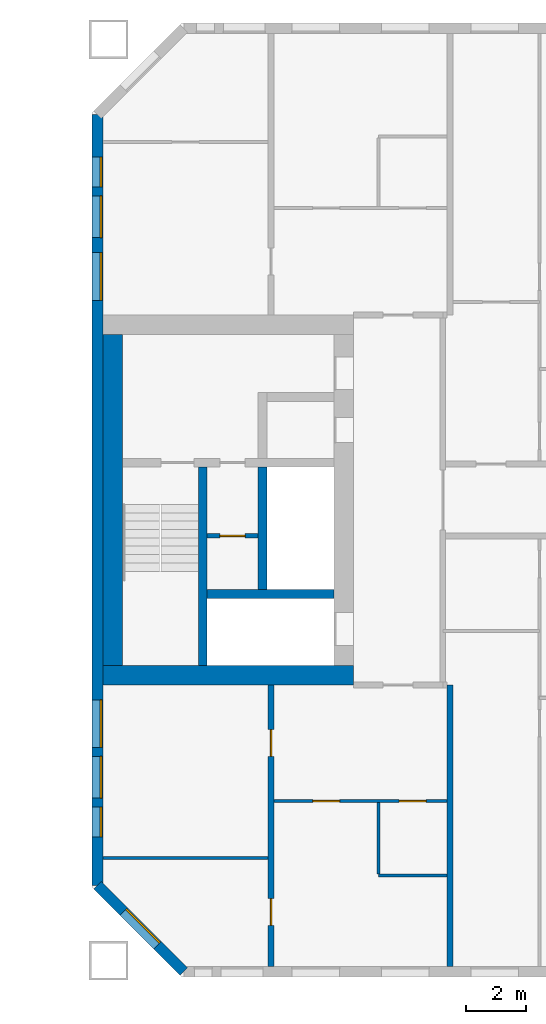
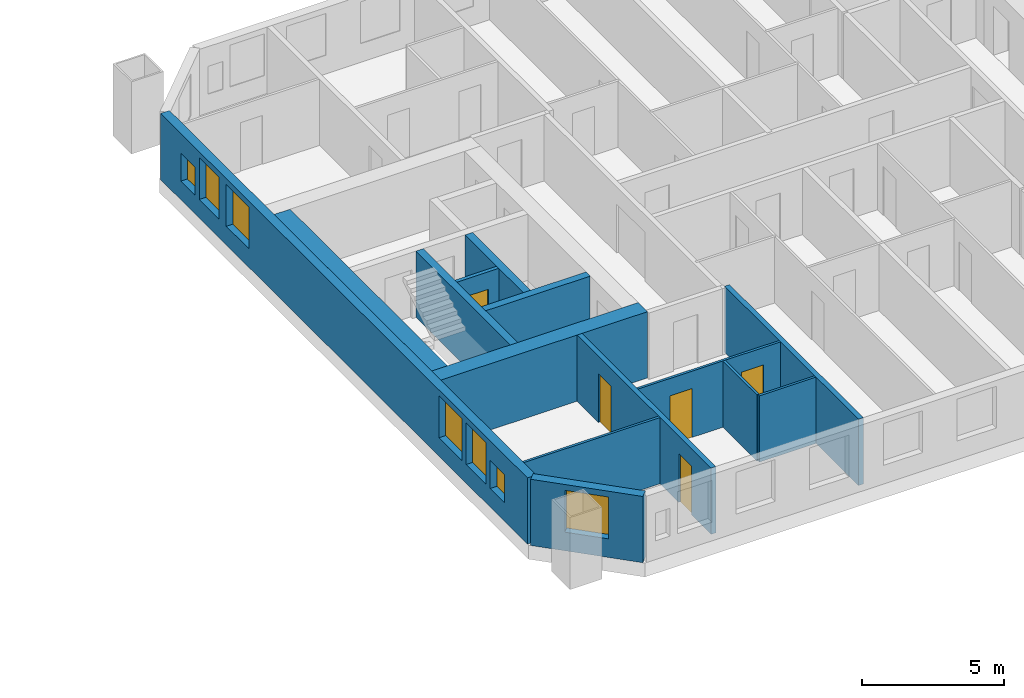
# One storey, part 9 of 16: 14 walls, 7 windows, 5 doors, 12 openings.
"""IFC4 building model written with IfcOpenShell, lengths in metres."""

from ifc_helpers import new_model, si_unit, direction, frame, frame_2d, origin, place, context, subcontext, project, spatial, rectangle, extrude, material, layer, layer_set, type_object, element, fill, save


model = new_model("IFC4")

# Units and contexts
model_context = context("Model", 3, precision=1e-05, world=origin(), true_north=direction((0.0, 1.0)))
body_context = subcontext(model_context, "Body", "Model", "MODEL_VIEW")
ifc_project = project(units=[si_unit("LENGTHUNIT", "METRE"), si_unit("AREAUNIT", "SQUARE_METRE"), si_unit("VOLUMEUNIT", "CUBIC_METRE"), si_unit("PLANEANGLEUNIT", "RADIAN"), si_unit("MASSUNIT", "GRAM", prefix="KILO")], contexts=[model_context])

# Site, building, storey
site_placement = place(None, origin())
site = spatial("IfcSite", under=ifc_project, at=site_placement, CompositionType="ELEMENT")
building_placement = place(site_placement, origin())
building = spatial("IfcBuilding", under=site, at=building_placement, Name="Tuart Gate Housing", CompositionType="ELEMENT")
storey_placement = place(building_placement, frame((0.0, 0.0, 96.39990234375)))
storey = spatial("IfcBuildingStorey", under=building, at=storey_placement, Name="L26", CompositionType="ELEMENT", Elevation=96.39990234375)

# Wall, opening, window
ifc_material_1 = material(Name="Brick", Category="masonry")
ifc_layer_1 = layer(ifc_material_1, 0.360107421875)
ifc_layer_set_1 = layer_set([ifc_layer_1], Name="Brick pier and spandrel wall 360")
wall_type_1 = type_object("IfcWallType", Name="Brick pier and spandrel wall 360", PredefinedType="STANDARD", material=ifc_layer_set_1)
wall_1_placement = place(storey_placement, frame((131.179931640625, 57.07470703125, 0.0), z_axis=(0.0, 0.0, 1.0), x_axis=(0.707106781187, -0.707106781187, 0.0)))
wall_1 = element("IfcWall", 1, at=wall_1_placement, inside=storey, type_object=wall_type_1, Name="External wall B-SW L26", PredefinedType="STANDARD", context=body_context, shape_type="SweptSolid", body=[
    extrude(rectangle(XDim=4.09375, YDim=0.360107421875, at=frame_2d((2.046875, 0.0))), origin(), (0.0, 0.0, 1.0), 2.85009765625),
])
opening_1_placement = place(wall_1_placement, frame((1.2470703125, 0.0, 0.800048828125)))
opening_1 = element("IfcOpeningElement", 2, at=opening_1_placement, cuts=wall_1, Name="Opening W1", PredefinedType="OPENING", context=body_context, shape_type="SweptSolid", body=[
    extrude(rectangle(XDim=1.60009765625, YDim=1.800048828125, at=frame_2d((0.800048828125, 0.89990234375))), frame((0.0, 0.18994140625, 0.0), z_axis=(0.0, -1.0, 0.0), x_axis=(1.0, 0.0, 0.0)), (0.0, 0.0, 1.0), 0.380126953125),
])
ifc_material_2 = material(Name="Aluminium frame with clear glass", Category="aluminium")
window_type_1 = type_object("IfcWindowType", Name="Punched window 1600 x 1800", PartitioningType="SINGLE_PANEL", PredefinedType="WINDOW", material=ifc_material_2)
window_1_placement = place(opening_1_placement, origin())
window_1 = element("IfcWindow", 3, at=window_1_placement, inside=storey, type_object=window_type_1, Name="Window W1", OverallHeight=1.800048828125, OverallWidth=1.60009765625, PartitioningType="SINGLE_PANEL", PredefinedType="WINDOW", context=body_context, shape_type="SweptSolid", body=[
    extrude(rectangle(XDim=1.60009765625, YDim=1.800048828125, at=frame_2d((0.800048828125, 0.89990234375))), frame((0.0, 0.150146484375, 0.0), z_axis=(0.0, -1.0, 0.0), x_axis=(1.0, 0.0, 0.0)), (0.0, 0.0, 1.0), 0.06005859375),
])
fill(opening_1, window_1)

# Wall, openings, windows
wall_2_placement = place(storey_placement, frame((131.179931640625, 82.92529296875, 0.0), z_axis=(0.0, 0.0, 1.0), x_axis=(0.0, -1.0, 0.0)))
wall_2 = element("IfcWall", 4, at=wall_2_placement, inside=storey, type_object=wall_type_1, Name="External wall B-W L26", PredefinedType="STANDARD", context=body_context, shape_type="SweptSolid", body=[
    extrude(rectangle(XDim=25.850830078125, YDim=0.360107421875, at=frame_2d((12.92529296875, 0.0))), origin(), (0.0, 0.0, 1.0), 2.85009765625),
])
opening_2_placement = place(wall_2_placement, frame((1.42529296875, 0.0, 0.800048828125)))
opening_2 = element("IfcOpeningElement", 5, at=opening_2_placement, cuts=wall_2, Name="Opening W1O", PredefinedType="OPENING", context=body_context, shape_type="SweptSolid", body=[
    extrude(rectangle(XDim=1.0, YDim=1.199951171875, at=frame_2d((0.5, 0.60009765625))), frame((0.0, 0.18994140625, 0.0), z_axis=(0.0, -1.0, 0.0), x_axis=(1.0, 0.0, 0.0)), (0.0, 0.0, 1.0), 0.380126953125),
])
opening_3_placement = place(wall_2_placement, frame((4.62548828125, 0.0, 0.800048828125)))
opening_3 = element("IfcOpeningElement", 6, at=opening_3_placement, cuts=wall_2, Name="Opening W1", PredefinedType="OPENING", context=body_context, shape_type="SweptSolid", body=[
    extrude(rectangle(XDim=1.60009765625, YDim=1.800048828125, at=frame_2d((0.800048828125, 0.89990234375))), frame((0.0, 0.18994140625, 0.0), z_axis=(0.0, -1.0, 0.0), x_axis=(1.0, 0.0, 0.0)), (0.0, 0.0, 1.0), 0.380126953125),
])
opening_4_placement = place(wall_2_placement, frame((19.62548828125, 0.0, 0.800048828125)))
opening_4 = element("IfcOpeningElement", 7, at=opening_4_placement, cuts=wall_2, Name="Opening W1", PredefinedType="OPENING", context=body_context, shape_type="SweptSolid", body=[
    extrude(rectangle(XDim=1.60009765625, YDim=1.800048828125, at=frame_2d((0.800048828125, 0.89990234375))), frame((0.0, 0.18994140625, 0.0), z_axis=(0.0, -1.0, 0.0), x_axis=(1.0, 0.0, 0.0)), (0.0, 0.0, 1.0), 0.380126953125),
])
opening_5_placement = place(wall_2_placement, frame((21.525390625, 0.0, 0.800048828125)))
opening_5 = element("IfcOpeningElement", 8, at=opening_5_placement, cuts=wall_2, Name="Opening W1A", PredefinedType="OPENING", context=body_context, shape_type="SweptSolid", body=[
    extrude(rectangle(XDim=1.39990234375, YDim=1.800048828125, at=frame_2d((0.699951171875, 0.89990234375))), frame((0.0, 0.18994140625, 0.0), z_axis=(0.0, -1.0, 0.0), x_axis=(1.0, 0.0, 0.0)), (0.0, 0.0, 1.0), 0.380126953125),
])
opening_6_placement = place(wall_2_placement, frame((2.725341796875, 0.0, 0.800048828125)))
opening_6 = element("IfcOpeningElement", 9, at=opening_6_placement, cuts=wall_2, Name="Opening W1A", PredefinedType="OPENING", context=body_context, shape_type="SweptSolid", body=[
    extrude(rectangle(XDim=1.39990234375, YDim=1.800048828125, at=frame_2d((0.699951171875, 0.89990234375))), frame((0.0, 0.18994140625, 0.0), z_axis=(0.0, -1.0, 0.0), x_axis=(1.0, 0.0, 0.0)), (0.0, 0.0, 1.0), 0.380126953125),
])
opening_7_placement = place(wall_2_placement, frame((23.225341796875, 0.0, 0.800048828125)))
opening_7 = element("IfcOpeningElement", 10, at=opening_7_placement, cuts=wall_2, Name="Opening W1O", PredefinedType="OPENING", context=body_context, shape_type="SweptSolid", body=[
    extrude(rectangle(XDim=1.0, YDim=1.199951171875, at=frame_2d((0.5, 0.60009765625))), frame((0.0, 0.18994140625, 0.0), z_axis=(0.0, -1.0, 0.0), x_axis=(1.0, 0.0, 0.0)), (0.0, 0.0, 1.0), 0.380126953125),
])
ifc_material_3 = material(Name="Aluminium frame with clear glass", Category="aluminium")
window_type_2 = type_object("IfcWindowType", Name="Punched window 1000 x 1200", PartitioningType="SINGLE_PANEL", PredefinedType="WINDOW", material=ifc_material_3)
window_2_placement = place(opening_2_placement, origin())
window_2 = element("IfcWindow", 11, at=window_2_placement, inside=storey, type_object=window_type_2, Name="Window W1O", OverallHeight=1.199951171875, OverallWidth=1.0, PartitioningType="SINGLE_PANEL", PredefinedType="WINDOW", context=body_context, shape_type="SweptSolid", body=[
    extrude(rectangle(XDim=1.0, YDim=1.199951171875, at=frame_2d((0.5, 0.60009765625))), frame((0.0, 0.150146484375, 0.0), z_axis=(0.0, -1.0, 0.0), x_axis=(1.0, 0.0, 0.0)), (0.0, 0.0, 1.0), 0.06005859375),
])
fill(opening_2, window_2)
window_3_placement = place(opening_7_placement, origin())
window_3 = element("IfcWindow", 12, at=window_3_placement, inside=storey, type_object=window_type_2, Name="Window W1O", OverallHeight=1.199951171875, OverallWidth=1.0, PartitioningType="SINGLE_PANEL", PredefinedType="WINDOW", context=body_context, shape_type="SweptSolid", body=[
    extrude(rectangle(XDim=1.0, YDim=1.199951171875, at=frame_2d((0.5, 0.60009765625))), frame((0.0, 0.150146484375, 0.0), z_axis=(0.0, -1.0, 0.0), x_axis=(1.0, 0.0, 0.0)), (0.0, 0.0, 1.0), 0.06005859375),
])
fill(opening_7, window_3)
ifc_material_4 = material(Name="Aluminium frame with clear glass", Category="aluminium")
window_type_3 = type_object("IfcWindowType", Name="Punched window 1400 x 1800", PartitioningType="SINGLE_PANEL", PredefinedType="WINDOW", material=ifc_material_4)
window_4_placement = place(opening_5_placement, origin())
window_4 = element("IfcWindow", 13, at=window_4_placement, inside=storey, type_object=window_type_3, Name="Window W1A", OverallHeight=1.800048828125, OverallWidth=1.39990234375, PartitioningType="SINGLE_PANEL", PredefinedType="WINDOW", context=body_context, shape_type="SweptSolid", body=[
    extrude(rectangle(XDim=1.39990234375, YDim=1.800048828125, at=frame_2d((0.699951171875, 0.89990234375))), frame((0.0, 0.150146484375, 0.0), z_axis=(0.0, -1.0, 0.0), x_axis=(1.0, 0.0, 0.0)), (0.0, 0.0, 1.0), 0.06005859375),
])
fill(opening_5, window_4)
window_5_placement = place(opening_6_placement, origin())
window_5 = element("IfcWindow", 14, at=window_5_placement, inside=storey, type_object=window_type_3, Name="Window W1A", OverallHeight=1.800048828125, OverallWidth=1.39990234375, PartitioningType="SINGLE_PANEL", PredefinedType="WINDOW", context=body_context, shape_type="SweptSolid", body=[
    extrude(rectangle(XDim=1.39990234375, YDim=1.800048828125, at=frame_2d((0.699951171875, 0.89990234375))), frame((0.0, 0.150146484375, 0.0), z_axis=(0.0, -1.0, 0.0), x_axis=(1.0, 0.0, 0.0)), (0.0, 0.0, 1.0), 0.06005859375),
])
fill(opening_6, window_5)
window_6_placement = place(opening_3_placement, origin())
window_6 = element("IfcWindow", 15, at=window_6_placement, inside=storey, type_object=window_type_1, Name="Window W1", OverallHeight=1.800048828125, OverallWidth=1.60009765625, PartitioningType="SINGLE_PANEL", PredefinedType="WINDOW", context=body_context, shape_type="SweptSolid", body=[
    extrude(rectangle(XDim=1.60009765625, YDim=1.800048828125, at=frame_2d((0.800048828125, 0.89990234375))), frame((0.0, 0.150146484375, 0.0), z_axis=(0.0, -1.0, 0.0), x_axis=(1.0, 0.0, 0.0)), (0.0, 0.0, 1.0), 0.06005859375),
])
fill(opening_3, window_6)
window_7_placement = place(opening_4_placement, origin())
window_7 = element("IfcWindow", 16, at=window_7_placement, inside=storey, type_object=window_type_1, Name="Window W1", OverallHeight=1.800048828125, OverallWidth=1.60009765625, PartitioningType="SINGLE_PANEL", PredefinedType="WINDOW", context=body_context, shape_type="SweptSolid", body=[
    extrude(rectangle(XDim=1.60009765625, YDim=1.800048828125, at=frame_2d((0.800048828125, 0.89990234375))), frame((0.0, 0.150146484375, 0.0), z_axis=(0.0, -1.0, 0.0), x_axis=(1.0, 0.0, 0.0)), (0.0, 0.0, 1.0), 0.06005859375),
])
fill(opening_4, window_7)

# Wall, opening, door
ifc_material_5 = material(Name="Plasterboard partition")
ifc_layer_2 = layer(ifc_material_5, 0.14990234375)
ifc_layer_set_2 = layer_set([ifc_layer_2], Name="Core partition 150")
wall_type_2 = type_object("IfcWallType", Name="Core partition 150", PredefinedType="PARTITIONING", material=ifc_layer_set_2)
wall_3_placement = place(storey_placement, frame((136.56005859375, 68.800048828125, 0.0), z_axis=(0.0, 0.0, 1.0), x_axis=(-1.0, 0.0, 0.0)))
wall_3 = element("IfcWall", 17, at=wall_3_placement, inside=storey, type_object=wall_type_2, Name="Core partition BG.2", PredefinedType="PARTITIONING", context=body_context, shape_type="SweptSolid", body=[
    extrude(rectangle(XDim=1.699951171875, YDim=0.14990234375, at=frame_2d((0.85009765625, 0.0))), origin(), (0.0, 0.0, 1.0), 2.85009765625),
])
opening_8_placement = place(wall_3_placement, frame((0.425048828125, 0.0, 0.0)))
opening_8 = element("IfcOpeningElement", 18, at=opening_8_placement, cuts=wall_3, Name="Opening D1155", PredefinedType="OPENING", context=body_context, shape_type="SweptSolid", body=[
    extrude(rectangle(XDim=0.85009765625, YDim=2.10009765625, at=frame_2d((0.425048828125, 1.050048828125))), frame((0.0, 0.0849609375, 0.0), z_axis=(0.0, -1.0, 0.0), x_axis=(1.0, 0.0, 0.0)), (0.0, 0.0, 1.0), 0.169921875),
])
ifc_material_6 = material(Name="Steel fire door", Category="steel")
door_type_1 = type_object("IfcDoorType", Name="Service door 850 x 2100 RH", OperationType="SINGLE_SWING_RIGHT", PredefinedType="DOOR", material=ifc_material_6)
door_1_placement = place(opening_8_placement, frame((0.85009765625, 0.0, 0.0), z_axis=(0.0, 0.0, 1.0), x_axis=(-1.0, 0.0, 0.0)))
door_1 = element("IfcDoor", 19, at=door_1_placement, inside=storey, type_object=door_type_1, Name="Service room door BG.W2", OperationType="SINGLE_SWING_RIGHT", OverallHeight=2.10009765625, OverallWidth=0.85009765625, PredefinedType="DOOR", context=body_context, shape_type="SweptSolid", body=[
    extrude(rectangle(XDim=0.85009765625, YDim=2.10009765625, at=frame_2d((0.425048828125, 1.050048828125))), frame((0.0, 0.025146484375, 0.0), z_axis=(0.0, -1.0, 0.0), x_axis=(1.0, 0.0, 0.0)), (0.0, 0.0, 1.0), 0.050048828125),
])
fill(opening_8, door_1)

# Walls
ifc_material_7 = material(Name="Concrete C50", Category="concrete")
ifc_layer_3 = layer(ifc_material_7, 0.300048828125)
ifc_layer_set_3 = layer_set([ifc_layer_3], Name="Core wall 300 C50")
wall_type_3 = type_object("IfcWallType", Name="Core wall 300 C50", PredefinedType="SHEAR", material=ifc_layer_set_3)
wall_4_placement = place(storey_placement, frame((139.110107421875, 66.85009765625, 0.0), z_axis=(0.0, 0.0, 1.0), x_axis=(-1.0, 0.0, 0.0)))
element("IfcWall", 20, at=wall_4_placement, inside=storey, type_object=wall_type_3, Name="Core wall BG.1", PredefinedType="SHEAR", context=body_context, shape_type="SweptSolid", body=[
    extrude(rectangle(XDim=4.25, YDim=0.300048828125, at=frame_2d((2.125, 0.0))), origin(), (0.0, 0.0, 1.0), 2.85009765625),
])
wall_5_placement = place(storey_placement, frame((136.7099609375, 67.0, 0.0), z_axis=(0.0, 0.0, 1.0), x_axis=(0.0, 1.0, 0.0)))
element("IfcWall", 21, at=wall_5_placement, inside=storey, type_object=wall_type_3, Name="Core wall BG.5", PredefinedType="SHEAR", context=body_context, shape_type="SweptSolid", body=[
    extrude(rectangle(XDim=4.10009765625, YDim=0.300048828125, at=frame_2d((2.050048828125, 0.0))), origin(), (0.0, 0.0, 1.0), 2.85009765625),
])
wall_6_placement = place(storey_placement, frame((134.7099609375, 64.449951171875, 0.0), z_axis=(0.0, 0.0, 1.0), x_axis=(0.0, 1.0, 0.0)))
element("IfcWall", 22, at=wall_6_placement, inside=storey, type_object=wall_type_3, Name="Core wall BG.7", PredefinedType="SHEAR", context=body_context, shape_type="SweptSolid", body=[
    extrude(rectangle(XDim=6.650146484375, YDim=0.300048828125, at=frame_2d((3.3251953125, 0.0))), origin(), (0.0, 0.0, 1.0), 2.85009765625),
])
ifc_material_8 = material(Name="Concrete C50", Category="concrete")
ifc_layer_4 = layer(ifc_material_8, 0.64990234375)
ifc_layer_set_4 = layer_set([ifc_layer_4], Name="Core wall 650 C50")
wall_type_4 = type_object("IfcWallType", Name="Core wall 650 C50", PredefinedType="SHEAR", material=ifc_layer_set_4)
wall_7_placement = place(storey_placement, frame((131.68505859375, 64.449951171875, 0.0), z_axis=(0.0, 0.0, 1.0), x_axis=(0.0, 1.0, 0.0)))
element("IfcWall", 23, at=wall_7_placement, inside=storey, type_object=wall_type_4, Name="Core wall BG back", PredefinedType="SHEAR", context=body_context, shape_type="SweptSolid", body=[
    extrude(rectangle(XDim=11.10009765625, YDim=0.64990234375, at=frame_2d((5.550048828125, 0.0))), origin(), (0.0, 0.0, 1.0), 2.85009765625),
])
wall_8_placement = place(storey_placement, frame((139.760009765625, 64.125, 0.0), z_axis=(0.0, 0.0, 1.0), x_axis=(-1.0, 0.0, 0.0)))
element("IfcWall", 24, at=wall_8_placement, inside=storey, type_object=wall_type_4, Name="Core wall BG south", PredefinedType="SHEAR", context=body_context, shape_type="SweptSolid", body=[
    extrude(rectangle(XDim=8.39990234375, YDim=0.64990234375, at=frame_2d((4.199951171875, 0.0))), origin(), (0.0, 0.0, 1.0), 2.85009765625),
])
ifc_material_9 = material(Name="Gypsum board on steel studs", Category="steel")
ifc_layer_5 = layer(ifc_material_9, 0.10009765625)
ifc_layer_set_5 = layer_set([ifc_layer_5], Name="Partition 100")
wall_type_5 = type_object("IfcWallType", Name="Partition 100", PredefinedType="PARTITIONING", material=ifc_layer_set_5)
wall_9_placement = place(storey_placement, frame((140.60009765625, 57.39990234375, 0.0), z_axis=(0.0, 0.0, 1.0), x_axis=(1.0, 0.0, 0.0)))
element("IfcWall", 25, at=wall_9_placement, inside=storey, type_object=wall_type_5, Name="Partition 100", PredefinedType="PARTITIONING", context=body_context, shape_type="SweptSolid", body=[
    extrude(rectangle(XDim=2.2998046875, YDim=0.10009765625, at=frame_2d((1.14990234375, 0.0))), origin(), (0.0, 0.0, 1.0), 2.85009765625),
])
wall_10_placement = place(storey_placement, frame((131.360107421875, 58.0, 0.0), z_axis=(0.0, 0.0, 1.0), x_axis=(1.0, 0.0, 0.0)))
element("IfcWall", 26, at=wall_10_placement, inside=storey, type_object=wall_type_5, Name="Partition 100", PredefinedType="PARTITIONING", context=body_context, shape_type="SweptSolid", body=[
    extrude(rectangle(XDim=5.539794921875, YDim=0.10009765625, at=frame_2d((2.77001953125, 0.0))), origin(), (0.0, 0.0, 1.0), 2.85009765625),
])

# Wall, openings, doors
wall_11_placement = place(storey_placement, frame((137.10009765625, 59.89990234375, 0.0), z_axis=(0.0, 0.0, 1.0), x_axis=(1.0, 0.0, 0.0)))
wall_11 = element("IfcWall", 27, at=wall_11_placement, inside=storey, type_object=wall_type_5, Name="Partition 100", PredefinedType="PARTITIONING", context=body_context, shape_type="SweptSolid", body=[
    extrude(rectangle(XDim=5.7998046875, YDim=0.10009765625, at=frame_2d((2.89990234375, 0.0))), origin(), (0.0, 0.0, 1.0), 2.85009765625),
])
opening_9_placement = place(wall_11_placement, frame((1.300048828125, 0.0, 0.0)))
opening_9 = element("IfcOpeningElement", 28, at=opening_9_placement, cuts=wall_11, Name="Opening D1172", PredefinedType="OPENING", context=body_context, shape_type="SweptSolid", body=[
    extrude(rectangle(XDim=0.89990234375, YDim=2.10009765625, at=frame_2d((0.449951171875, 1.050048828125))), frame((0.0, 0.06005859375, 0.0), z_axis=(0.0, -1.0, 0.0), x_axis=(1.0, 0.0, 0.0)), (0.0, 0.0, 1.0), 0.1201171875),
])
opening_10_placement = place(wall_11_placement, frame((4.199951171875, 0.0, 0.0)))
opening_10 = element("IfcOpeningElement", 29, at=opening_10_placement, cuts=wall_11, Name="Opening D1171", PredefinedType="OPENING", context=body_context, shape_type="SweptSolid", body=[
    extrude(rectangle(XDim=0.89990234375, YDim=2.10009765625, at=frame_2d((0.449951171875, 1.050048828125))), frame((0.0, 0.06005859375, 0.0), z_axis=(0.0, -1.0, 0.0), x_axis=(1.0, 0.0, 0.0)), (0.0, 0.0, 1.0), 0.1201171875),
])
ifc_material_10 = material(Name="Timber door leaf in steel frame", Category="steel")
door_type_2 = type_object("IfcDoorType", Name="Bathroom door 900 RH", OperationType="SINGLE_SWING_RIGHT", PredefinedType="DOOR", material=ifc_material_10)
door_2_placement = place(opening_10_placement, frame((0.89990234375, 0.0, 0.0), z_axis=(0.0, 0.0, 1.0), x_axis=(-1.0, 0.0, 0.0)))
door_2 = element("IfcDoor", 30, at=door_2_placement, inside=storey, type_object=door_type_2, Name="Bathroom door", OperationType="SINGLE_SWING_RIGHT", OverallHeight=2.10009765625, OverallWidth=0.89990234375, PredefinedType="DOOR", context=body_context, shape_type="SweptSolid", body=[
    extrude(rectangle(XDim=0.89990234375, YDim=2.10009765625, at=frame_2d((0.449951171875, 1.050048828125))), frame((0.0, 0.025146484375, 0.0), z_axis=(0.0, -1.0, 0.0), x_axis=(1.0, 0.0, 0.0)), (0.0, 0.0, 1.0), 0.050048828125),
])
fill(opening_10, door_2)
ifc_material_11 = material(Name="Timber door leaf in steel frame", Category="steel")
door_type_3 = type_object("IfcDoorType", Name="Internal door 900", OperationType="SINGLE_SWING_LEFT", PredefinedType="DOOR", material=ifc_material_11)
door_3_placement = place(opening_9_placement, origin())
door_3 = element("IfcDoor", 31, at=door_3_placement, inside=storey, type_object=door_type_3, Name="Internal door", OperationType="SINGLE_SWING_LEFT", OverallHeight=2.10009765625, OverallWidth=0.89990234375, PredefinedType="DOOR", context=body_context, shape_type="SweptSolid", body=[
    extrude(rectangle(XDim=0.89990234375, YDim=2.10009765625, at=frame_2d((0.449951171875, 1.050048828125))), frame((0.0, 0.02490234375, 0.0), z_axis=(0.0, -1.0, 0.0), x_axis=(1.0, 0.0, 0.0)), (0.0, 0.0, 1.0), 0.050048828125),
])
fill(opening_9, door_3)

# Wall
wall_12_placement = place(storey_placement, frame((140.60009765625, 57.449951171875, 0.0), z_axis=(0.0, 0.0, 1.0), x_axis=(0.0, 1.0, 0.0)))
element("IfcWall", 32, at=wall_12_placement, inside=storey, type_object=wall_type_5, Name="Partition 100", PredefinedType="PARTITIONING", context=body_context, shape_type="SweptSolid", body=[
    extrude(rectangle(XDim=2.400146484375, YDim=0.10009765625, at=frame_2d((1.2001953125, 0.0))), origin(), (0.0, 0.0, 1.0), 2.85009765625),
])

# Wall, openings, doors
ifc_material_12 = material(Name="Concrete C40", Category="concrete")
ifc_layer_6 = layer(ifc_material_12, 0.199951171875)
ifc_layer_set_6 = layer_set([ifc_layer_6], Name="Party wall concrete C40 200")
wall_type_6 = type_object("IfcWallType", Name="Party wall concrete C40 200", PredefinedType="SOLIDWALL", material=ifc_layer_set_6)
wall_13_placement = place(storey_placement, frame((137.0, 54.360107421875, 0.0), z_axis=(0.0, 0.0, 1.0), x_axis=(0.0, 1.0, 0.0)))
wall_13 = element("IfcWall", 33, at=wall_13_placement, inside=storey, type_object=wall_type_6, Name="Party wall concrete C40 200", PredefinedType="SOLIDWALL", context=body_context, shape_type="SweptSolid", body=[
    extrude(rectangle(XDim=9.43994140625, YDim=0.199951171875, at=frame_2d((4.719970703125, 0.0))), origin(), (0.0, 0.0, 1.0), 2.85009765625),
])
opening_11_placement = place(wall_13_placement, frame((1.3701171875, 0.0, 0.0)))
opening_11 = element("IfcOpeningElement", 34, at=opening_11_placement, cuts=wall_13, Name="Opening D1176", PredefinedType="OPENING", context=body_context, shape_type="SweptSolid", body=[
    extrude(rectangle(XDim=0.89990234375, YDim=2.10009765625, at=frame_2d((0.449951171875, 1.050048828125))), frame((0.0, 0.10986328125, 0.0), z_axis=(0.0, -1.0, 0.0), x_axis=(1.0, 0.0, 0.0)), (0.0, 0.0, 1.0), 0.219970703125),
])
opening_12_placement = place(wall_13_placement, frame((7.0400390625, 0.0, 0.0)))
opening_12 = element("IfcOpeningElement", 35, at=opening_12_placement, cuts=wall_13, Name="Opening D1177", PredefinedType="OPENING", context=body_context, shape_type="SweptSolid", body=[
    extrude(rectangle(XDim=0.89990234375, YDim=2.10009765625, at=frame_2d((0.449951171875, 1.050048828125))), frame((0.0, 0.10986328125, 0.0), z_axis=(0.0, -1.0, 0.0), x_axis=(1.0, 0.0, 0.0)), (0.0, 0.0, 1.0), 0.219970703125),
])
door_4_placement = place(opening_11_placement, origin())
door_4 = element("IfcDoor", 36, at=door_4_placement, inside=storey, type_object=door_type_3, Name="Internal door", OperationType="SINGLE_SWING_LEFT", OverallHeight=2.10009765625, OverallWidth=0.89990234375, PredefinedType="DOOR", context=body_context, shape_type="SweptSolid", body=[
    extrude(rectangle(XDim=0.89990234375, YDim=2.10009765625, at=frame_2d((0.449951171875, 1.050048828125))), frame((0.0, 0.02490234375, 0.0), z_axis=(0.0, -1.0, 0.0), x_axis=(1.0, 0.0, 0.0)), (0.0, 0.0, 1.0), 0.050048828125),
])
fill(opening_11, door_4)
ifc_material_13 = material(Name="Timber door leaf in steel frame", Category="steel")
door_type_4 = type_object("IfcDoorType", Name="Internal door 900 RH", OperationType="SINGLE_SWING_RIGHT", PredefinedType="DOOR", material=ifc_material_13)
door_5_placement = place(opening_12_placement, origin())
door_5 = element("IfcDoor", 37, at=door_5_placement, inside=storey, type_object=door_type_4, Name="Internal door", OperationType="SINGLE_SWING_RIGHT", OverallHeight=2.10009765625, OverallWidth=0.89990234375, PredefinedType="DOOR", context=body_context, shape_type="SweptSolid", body=[
    extrude(rectangle(XDim=0.89990234375, YDim=2.10009765625, at=frame_2d((0.449951171875, 1.050048828125))), frame((0.0, 0.02490234375, 0.0), z_axis=(0.0, -1.0, 0.0), x_axis=(1.0, 0.0, 0.0)), (0.0, 0.0, 1.0), 0.050048828125),
])
fill(opening_12, door_5)

# Wall
wall_14_placement = place(storey_placement, frame((143.0, 54.360107421875, 0.0), z_axis=(0.0, 0.0, 1.0), x_axis=(0.0, 1.0, 0.0)))
element("IfcWall", 38, at=wall_14_placement, inside=storey, type_object=wall_type_6, Name="Party wall concrete C40 200", PredefinedType="SOLIDWALL", context=body_context, shape_type="SweptSolid", body=[
    extrude(rectangle(XDim=9.43994140625, YDim=0.199951171875, at=frame_2d((4.719970703125, 0.0))), origin(), (0.0, 0.0, 1.0), 2.85009765625),
])

save(model, "model.ifc")
